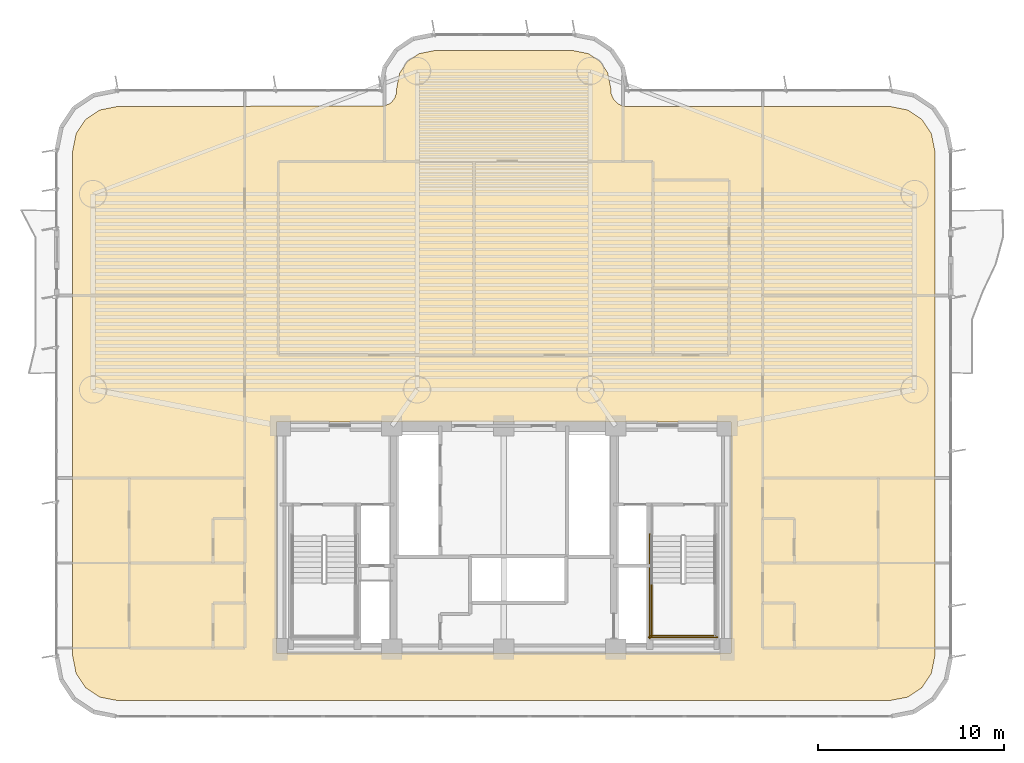
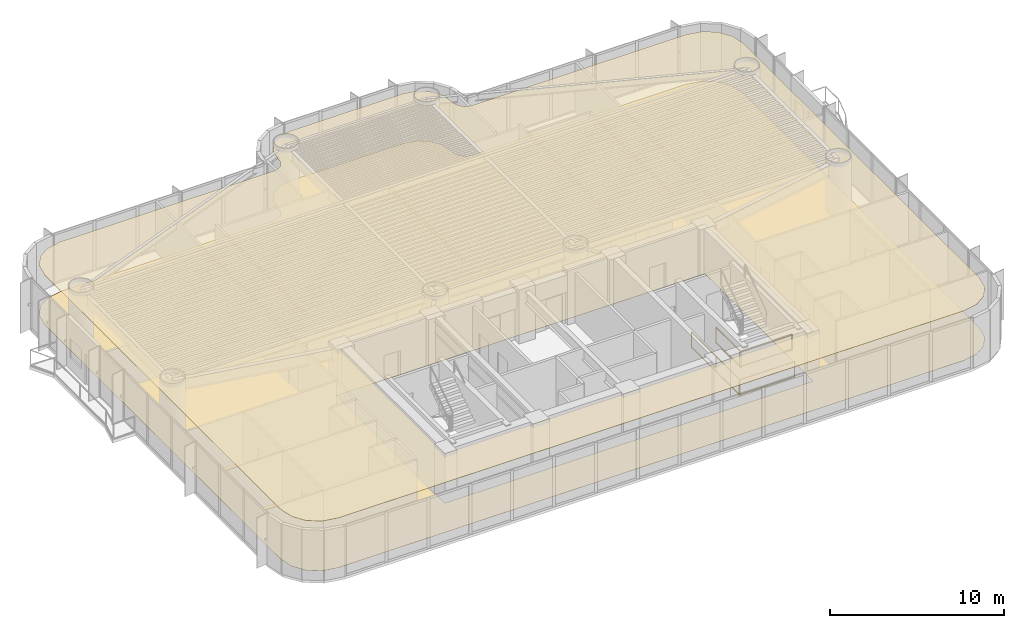
# One storey, part 15 of 17: 4 railings, 2 coverings.
"""IFC4 building model written with IfcOpenShell, lengths in metres."""

from ifc_helpers import new_model, si_unit, direction, frame, origin, origin_2d, place, context, subcontext, project, spatial, polyline, rectangle, outline, extrude, material, layer, layer_set, type_object, element, save


model = new_model("IFC4")

# Units and contexts
model_context = context("Model", 3, precision=1e-05, world=origin(), true_north=direction((0.0, 1.0)))
body_context = subcontext(model_context, "Body", "Model", "MODEL_VIEW")
ifc_project = project(units=[si_unit("LENGTHUNIT", "METRE"), si_unit("AREAUNIT", "SQUARE_METRE"), si_unit("VOLUMEUNIT", "CUBIC_METRE"), si_unit("PLANEANGLEUNIT", "RADIAN"), si_unit("MASSUNIT", "GRAM", prefix="KILO")], contexts=[model_context])

# Site, building, storey
site_placement = place(None, origin())
site = spatial("IfcSite", under=ifc_project, at=site_placement, CompositionType="ELEMENT")
building_placement = place(site_placement, origin())
building = spatial("IfcBuilding", under=site, at=building_placement, Name="Brelvock Crest Care Tower", CompositionType="ELEMENT")
storey_placement = place(building_placement, frame((0.0, 0.0, 53.4599609375)))
storey = spatial("IfcBuildingStorey", under=building, at=storey_placement, Name="L13", CompositionType="ELEMENT", Elevation=53.4599609375)

# Coverings
ifc_material_1 = material(Name="Mineral Fibre Acoustic Ceiling Tile", Category="gypsum")
ifc_layer_1 = layer(ifc_material_1, 0.02490234375, Name="COV-CLG1")
ifc_layer_set_1 = layer_set([ifc_layer_1], Name="Mineral Fibre Acoustic Ceiling Tile")
covering_type_1 = type_object("IfcCoveringType", Name="COV-CLG1", PredefinedType="CEILING", material=ifc_layer_set_1)
covering_1_placement = place(storey_placement, frame((0.0, 0.0, 3.47509765625)))
element("IfcCovering", 1, at=covering_1_placement, inside=storey, type_object=covering_type_1, Name="L13 Acoustic Suspended Ceiling 1", PredefinedType="CEILING", context=body_context, shape_type="SweptSolid", body=[
    extrude(outline(polyline([(56.71630859375, 35.14990234375), (42.5166015625, 35.154052734375), (42.353271484375, 35.1865234375), (42.127685546875, 35.293212890625), (41.893310546875, 35.52783203125), (41.766357421875, 35.834228515625), (41.75, 36.1162109375), (41.586181640625, 36.939697265625), (41.1669921875, 37.567138671875), (40.539794921875, 37.986083984375), (39.71630859375, 38.14990234375), (32.28369140625, 38.14990234375), (31.460205078125, 37.986083984375), (30.8330078125, 37.567138671875), (30.413818359375, 36.939697265625), (30.25, 36.1162109375), (30.233642578125, 35.834228515625), (30.149658203125, 35.599365234375), (30.0009765625, 35.39892578125), (29.872314453125, 35.293212890625), (29.56591796875, 35.166259765625), (15.28369140625, 35.14990234375), (14.30712890625, 34.955810546875), (13.550048828125, 34.449951171875), (13.044189453125, 33.69287109375), (12.85009765625, 32.71630859375), (12.85009765625, 5.68359375), (13.044189453125, 4.70703125), (13.550048828125, 3.9501953125), (14.30712890625, 3.4443359375), (15.28369140625, 3.25), (56.71630859375, 3.25), (57.69287109375, 3.4443359375), (58.449951171875, 3.9501953125), (58.955810546875, 4.70703125), (59.14990234375, 5.68359375), (59.14990234375, 32.71630859375), (58.955810546875, 33.69287109375), (58.449951171875, 34.449951171875), (57.69287109375, 34.955810546875), (56.71630859375, 35.14990234375)]), holes=[polyline([(48.199951171875, 5.800048828125), (48.199951171875, 18.199951171875), (23.800048828125, 18.199951171875), (23.800048828125, 5.800048828125), (48.199951171875, 5.800048828125)])]), origin(), (0.0, 0.0, 1.0), 0.02490234375),
])
ifc_material_2 = material(Name="Slip-Resistant Acoustic Vinyl Flooring", Category="finish")
ifc_layer_2 = layer(ifc_material_2, 0.014892578125, Name="COV-FLR1")
ifc_layer_set_2 = layer_set([ifc_layer_2], Name="Slip-Resistant Acoustic Vinyl Flooring")
covering_type_2 = type_object("IfcCoveringType", Name="COV-FLR1", PredefinedType="FLOORING", material=ifc_layer_set_2)
covering_2_placement = place(storey_placement, origin())
element("IfcCovering", 2, at=covering_2_placement, inside=storey, type_object=covering_type_2, Name="L13 Slip-Resistant Acoustic Flooring 1", PredefinedType="FLOORING", context=body_context, shape_type="SweptSolid", body=[
    extrude(outline(polyline([(56.71630859375, 35.14990234375), (42.5166015625, 35.154052734375), (42.353271484375, 35.1865234375), (42.127685546875, 35.293212890625), (41.893310546875, 35.52783203125), (41.766357421875, 35.834228515625), (41.75, 36.1162109375), (41.586181640625, 36.939697265625), (41.1669921875, 37.567138671875), (40.539794921875, 37.986083984375), (39.71630859375, 38.14990234375), (32.28369140625, 38.14990234375), (31.460205078125, 37.986083984375), (30.8330078125, 37.567138671875), (30.413818359375, 36.939697265625), (30.25, 36.1162109375), (30.233642578125, 35.834228515625), (30.149658203125, 35.599365234375), (30.0009765625, 35.39892578125), (29.872314453125, 35.293212890625), (29.56591796875, 35.166259765625), (15.28369140625, 35.14990234375), (14.30712890625, 34.955810546875), (13.550048828125, 34.449951171875), (13.044189453125, 33.69287109375), (12.85009765625, 32.71630859375), (12.85009765625, 5.68359375), (13.044189453125, 4.70703125), (13.550048828125, 3.9501953125), (14.30712890625, 3.4443359375), (15.28369140625, 3.25), (56.71630859375, 3.25), (57.69287109375, 3.4443359375), (58.449951171875, 3.9501953125), (58.955810546875, 4.70703125), (59.14990234375, 5.68359375), (59.14990234375, 32.71630859375), (58.955810546875, 33.69287109375), (58.449951171875, 34.449951171875), (57.69287109375, 34.955810546875), (56.71630859375, 35.14990234375)]), holes=[polyline([(48.199951171875, 5.800048828125), (48.199951171875, 18.199951171875), (23.800048828125, 18.199951171875), (23.800048828125, 5.800048828125), (48.199951171875, 5.800048828125)])]), origin(), (0.0, 0.0, 1.0), 0.01513671875),
])

# Railings
ifc_material_3 = material(Name="Steel Grade 350", Category="steel")
ifc_layer_3 = layer(ifc_material_3, 0.050048828125, Name="RL-STG1")
ifc_layer_set_3 = layer_set([ifc_layer_3], Name="Steel Grade 350")
railing_type = type_object("IfcRailingType", Name="RL-STG1", PredefinedType="GUARDRAIL", material=ifc_layer_set_3)
railing_1_placement = place(storey_placement, frame((43.93994140625, 9.56005859375, 1.89013671875)))
element("IfcRailing", 3, at=railing_1_placement, inside=storey, type_object=railing_type, Name="L13 ST-2 stair guard 3", PredefinedType="GUARDRAIL", context=body_context, shape_type="SweptSolid", body=[
    extrude(rectangle(XDim=0.048095703125, YDim=0.048095703125, at=origin_2d()), frame((0.0, -0.001953125, 1.11572265625), z_axis=(0.0, -1.0, 0.0), x_axis=(1.0, 0.0, 0.0)), (0.0, 0.0, 1.0), 2.856201171875),
    extrude(rectangle(XDim=0.048095703125, YDim=0.048095703125, at=origin_2d()), frame((0.0, -0.001953125, 0.054931640625), z_axis=(0.0, -1.0, 0.0), x_axis=(1.0, 0.0, 0.0)), (0.0, 0.0, 1.0), 2.856201171875),
    extrude(rectangle(XDim=0.0419921875, YDim=0.0419921875, at=origin_2d()), origin(), (0.0, 0.0, 1.0), 1.08984375),
    extrude(rectangle(XDim=0.0419921875, YDim=0.0419921875, at=origin_2d()), frame((0.0, -2.860107421875, 0.0)), (0.0, 0.0, 1.0), 1.08984375),
])
railing_2_placement = place(storey_placement, frame((43.889892578125, 6.75, 1.89013671875)))
element("IfcRailing", 4, at=railing_2_placement, inside=storey, type_object=railing_type, Name="L13 ST-2 stair guard 5", PredefinedType="GUARDRAIL", context=body_context, shape_type="SweptSolid", body=[
    extrude(rectangle(XDim=0.048095703125, YDim=0.048095703125, at=origin_2d()), frame((0.001953125, 0.0, 1.11572265625), z_axis=(1.0, 0.0, 0.0), x_axis=(0.0, 1.0, 0.0)), (0.0, 0.0, 1.0), 3.476318359375),
    extrude(rectangle(XDim=0.048095703125, YDim=0.048095703125, at=origin_2d()), frame((0.001953125, 0.0, 0.054931640625), z_axis=(1.0, 0.0, 0.0), x_axis=(0.0, 1.0, 0.0)), (0.0, 0.0, 1.0), 3.476318359375),
    extrude(rectangle(XDim=0.0419921875, YDim=0.0419921875, at=origin_2d()), origin(), (0.0, 0.0, 1.0), 1.08984375),
    extrude(rectangle(XDim=0.0419921875, YDim=0.0419921875, at=origin_2d()), frame((3.480224609375, 0.0, 0.0)), (0.0, 0.0, 1.0), 1.08984375),
])
railing_3_placement = place(storey_placement, frame((43.840087890625, 12.179931640625, 0.0)))
element("IfcRailing", 5, at=railing_3_placement, inside=storey, type_object=railing_type, Name="L13 ST-2 stair guard 10", PredefinedType="GUARDRAIL", context=body_context, shape_type="SweptSolid", body=[
    extrude(rectangle(XDim=0.048095703125, YDim=0.048095703125, at=origin_2d()), frame((0.0, -0.001953125, 1.11572265625), z_axis=(0.0, -1.0, 0.0), x_axis=(1.0, 0.0, 0.0)), (0.0, 0.0, 1.0), 5.575927734375),
    extrude(rectangle(XDim=0.048095703125, YDim=0.048095703125, at=origin_2d()), frame((0.0, -0.001953125, 0.054931640625), z_axis=(0.0, -1.0, 0.0), x_axis=(1.0, 0.0, 0.0)), (0.0, 0.0, 1.0), 5.575927734375),
    extrude(rectangle(XDim=0.0419921875, YDim=0.0419921875, at=origin_2d()), origin(), (0.0, 0.0, 1.0), 1.08984375),
    extrude(rectangle(XDim=0.0419921875, YDim=0.0419921875, at=origin_2d()), frame((0.0, -2.7900390625, 0.0)), (0.0, 0.0, 1.0), 1.08984375),
    extrude(rectangle(XDim=0.0419921875, YDim=0.0419921875, at=origin_2d()), frame((0.0, -5.579833984375, 0.0)), (0.0, 0.0, 1.0), 1.08984375),
])
railing_4_placement = place(storey_placement, frame((43.7900390625, 6.64990234375, 0.0)))
element("IfcRailing", 6, at=railing_4_placement, inside=storey, type_object=railing_type, Name="L13 ST-2 stair guard 12", PredefinedType="GUARDRAIL", context=body_context, shape_type="SweptSolid", body=[
    extrude(rectangle(XDim=0.048095703125, YDim=0.048095703125, at=origin_2d()), frame((0.001953125, 0.0, 1.11572265625), z_axis=(1.0, 0.0, 0.0), x_axis=(0.0, 1.0, 0.0)), (0.0, 0.0, 1.0), 3.676025390625),
    extrude(rectangle(XDim=0.048095703125, YDim=0.048095703125, at=origin_2d()), frame((0.001953125, 0.0, 0.054931640625), z_axis=(1.0, 0.0, 0.0), x_axis=(0.0, 1.0, 0.0)), (0.0, 0.0, 1.0), 3.676025390625),
    extrude(rectangle(XDim=0.0419921875, YDim=0.0419921875, at=origin_2d()), origin(), (0.0, 0.0, 1.0), 1.08984375),
    extrude(rectangle(XDim=0.0419921875, YDim=0.0419921875, at=origin_2d()), frame((3.679931640625, 0.0, 0.0)), (0.0, 0.0, 1.0), 1.08984375),
])

save(model, "model.ifc")
